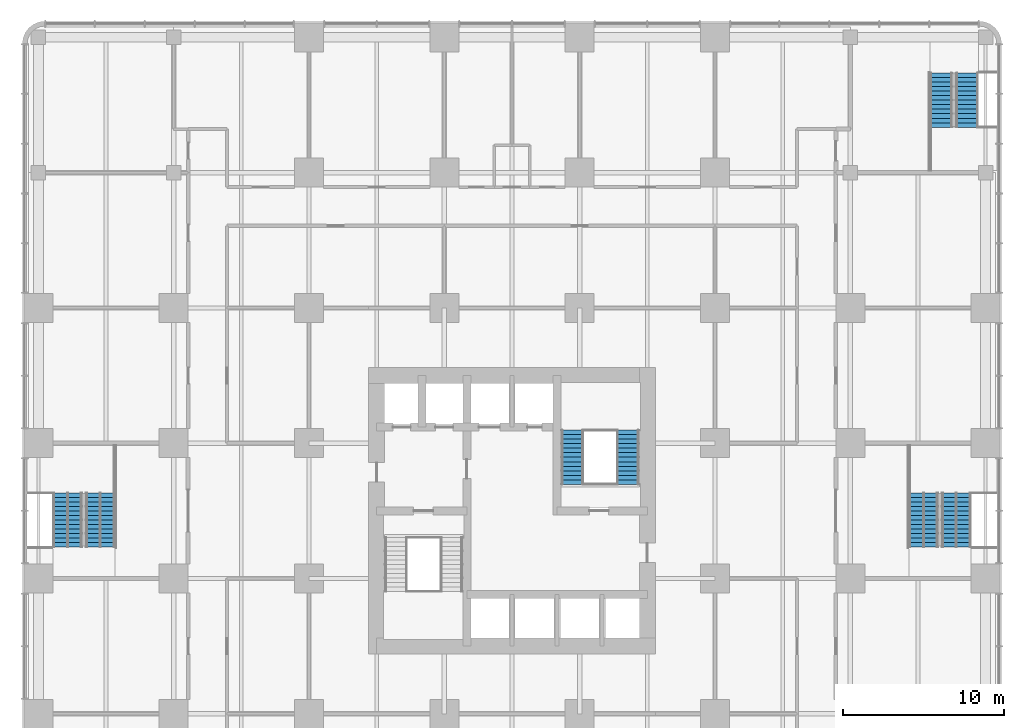
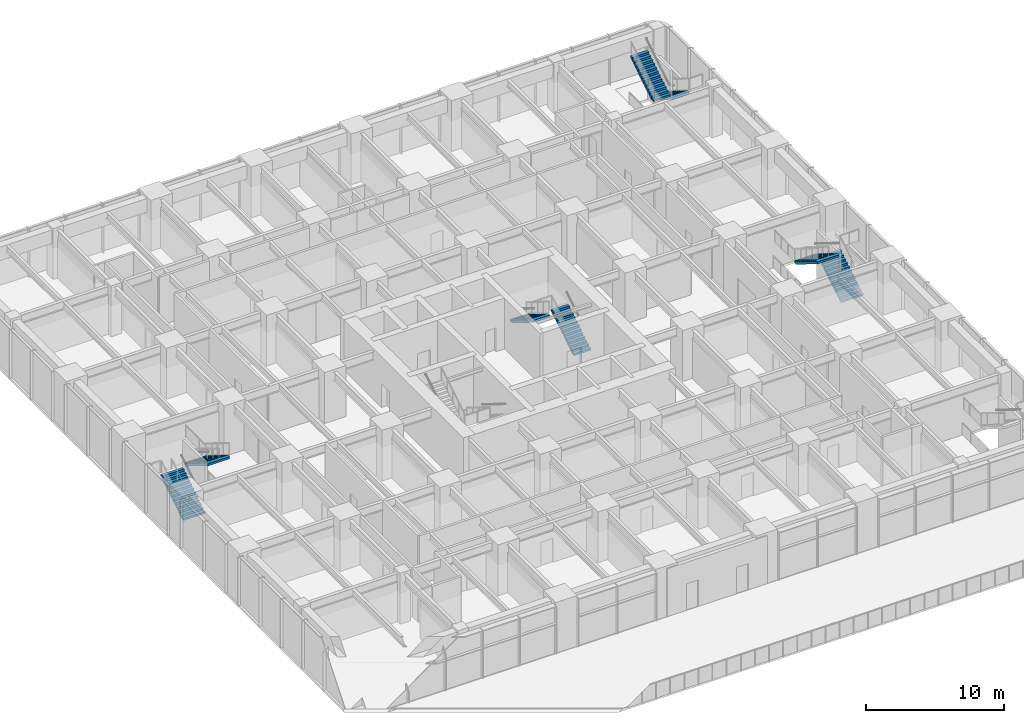
# One storey, part 14 of 19: 8 stair flights, 4 elements without a shape of their own.
"""IFC4 building model written with IfcOpenShell, lengths in metres."""

from ifc_helpers import new_model, si_unit, direction, frame, origin, place, context, subcontext, project, spatial, polyline, outline, extrude, material, type_object, element, aggregate, save


model = new_model("IFC4")

# Units and contexts
model_context = context("Model", 3, precision=1e-05, world=origin(), true_north=direction((0.0, 1.0)))
body_context = subcontext(model_context, "Body", "Model", "MODEL_VIEW")
ifc_project = project(units=[si_unit("LENGTHUNIT", "METRE"), si_unit("AREAUNIT", "SQUARE_METRE"), si_unit("VOLUMEUNIT", "CUBIC_METRE"), si_unit("PLANEANGLEUNIT", "RADIAN"), si_unit("MASSUNIT", "GRAM", prefix="KILO")], contexts=[model_context])

# Site, building, storey
site_placement = place(None, origin())
site = spatial("IfcSite", under=ifc_project, at=site_placement, CompositionType="ELEMENT")
building_placement = place(site_placement, origin())
building = spatial("IfcBuilding", under=site, at=building_placement, Name="Torre Alcanfor", CompositionType="ELEMENT")
storey_placement = place(building_placement, frame((0.0, 0.0, 15.0)))
storey = spatial("IfcBuildingStorey", under=building, at=storey_placement, Name="L03", CompositionType="ELEMENT", Elevation=15.0)

# Stair, stair flights
ifc_material_1 = material(Name="Concrete f'c 35 MPa", Category="concrete")
stair_type_1 = type_object("IfcStairType", Name="Exit stair S2 1400 wide", PredefinedType="HALF_TURN_STAIR", material=ifc_material_1)
stair_1_placement = place(storey_placement, origin())
stair_1 = element("IfcStair", 1, at=stair_1_placement, inside=storey, type_object=stair_type_1, Name="Stair S2 L03 to L04", PredefinedType="HALF_TURN_STAIR")
ifc_material_2 = material(Name="Concrete f'c 35 MPa", Category="concrete")
stair_flight_type_1 = type_object("IfcStairFlightType", Name="Stair flight 1400", PredefinedType="STRAIGHT", material=ifc_material_2)
stair_flight_1_placement = place(storey_placement, frame((36.60009765625, 31.050048828125, 0.0), z_axis=(0.0, 0.0, 1.0), x_axis=(0.0, 1.0, 0.0)))
stair_flight_1 = element("IfcStairFlight", 2, at=stair_flight_1_placement, type_object=stair_flight_type_1, Name="S2 flight 1", NumberOfRisers=13, NumberOfTreads=12, PredefinedType="STRAIGHT", RiserHeight=0.173076923, TreadLength=0.28, context=body_context, shape_type="SweptSolid", body=[
    extrude(outline(polyline([(0.0, 0.0), (0.0, 0.173095703125), (0.280029296875, 0.173095703125), (0.280029296875, 0.34619140625), (0.56005859375, 0.34619140625), (0.56005859375, 0.519287109375), (0.840087890625, 0.519287109375), (0.840087890625, 0.6923828125), (1.1201171875, 0.6923828125), (1.1201171875, 0.865478515625), (1.39990234375, 0.865478515625), (1.39990234375, 1.03857421875), (1.679931640625, 1.03857421875), (1.679931640625, 1.21142578125), (1.9599609375, 1.21142578125), (1.9599609375, 1.384521484375), (2.239990234375, 1.384521484375), (2.239990234375, 1.5576171875), (2.52001953125, 1.5576171875), (2.52001953125, 1.730712890625), (2.800048828125, 1.730712890625), (2.800048828125, 1.90380859375), (3.080078125, 1.90380859375), (3.080078125, 2.076904296875), (3.360107421875, 2.076904296875), (3.360107421875, 2.25), (3.360107421875, 1.900634765625), (0.28515625, 0.0), (0.0, 0.0)])), frame((0.0, 0.699951171875, 0.0), z_axis=(0.0, -1.0, 0.0), x_axis=(1.0, 0.0, 0.0)), (0.0, 0.0, 1.0), 1.39990234375),
])
stair_flight_2_placement = place(storey_placement, frame((33.14990234375, 34.409912109375, 2.25), z_axis=(0.0, 0.0, 1.0), x_axis=(0.0, -1.0, 0.0)))
stair_flight_2 = element("IfcStairFlight", 3, at=stair_flight_2_placement, type_object=stair_flight_type_1, Name="S2 flight 2", NumberOfRisers=13, NumberOfTreads=12, PredefinedType="STRAIGHT", RiserHeight=0.173076923, TreadLength=0.28, context=body_context, shape_type="SweptSolid", body=[
    extrude(outline(polyline([(0.0, 0.0), (0.0, 0.173095703125), (0.280029296875, 0.173095703125), (0.280029296875, 0.34619140625), (0.56005859375, 0.34619140625), (0.56005859375, 0.519287109375), (0.840087890625, 0.519287109375), (0.840087890625, 0.6923828125), (1.1201171875, 0.6923828125), (1.1201171875, 0.865478515625), (1.39990234375, 0.865478515625), (1.39990234375, 1.03857421875), (1.679931640625, 1.03857421875), (1.679931640625, 1.21142578125), (1.9599609375, 1.21142578125), (1.9599609375, 1.384521484375), (2.239990234375, 1.384521484375), (2.239990234375, 1.5576171875), (2.52001953125, 1.5576171875), (2.52001953125, 1.730712890625), (2.800048828125, 1.730712890625), (2.800048828125, 1.90380859375), (3.080078125, 1.90380859375), (3.080078125, 2.076904296875), (3.360107421875, 2.076904296875), (3.360107421875, 2.25), (3.360107421875, 1.900634765625), (0.28515625, 0.0), (0.0, 0.0)])), frame((0.0, 0.699951171875, 0.0), z_axis=(0.0, -1.0, 0.0), x_axis=(1.0, 0.0, 0.0)), (0.0, 0.0, 1.0), 1.39990234375),
])
aggregate(stair_1, [stair_flight_1, stair_flight_2])

ifc_material_3 = material(Name="Concrete f'c 35 MPa", Category="concrete")
stair_type_2 = type_object("IfcStairType", Name="Exit stair SS4 1400 wide", PredefinedType="HALF_TURN_STAIR", material=ifc_material_3)
stair_2_placement = place(storey_placement, origin())
stair_2 = element("IfcStair", 4, at=stair_2_placement, inside=storey, type_object=stair_type_2, Name="Stair SS4 L03 to L04", PredefinedType="HALF_TURN_STAIR")
stair_flight_3_placement = place(storey_placement, frame((57.64990234375, 56.574951171875, 0.0), z_axis=(0.0, 0.0, 1.0), x_axis=(0.0, -1.0, 0.0)))
stair_flight_3 = element("IfcStairFlight", 5, at=stair_flight_3_placement, type_object=stair_flight_type_1, Name="SS4 flight 1", NumberOfRisers=13, NumberOfTreads=12, PredefinedType="STRAIGHT", RiserHeight=0.173076923, TreadLength=0.28, context=body_context, shape_type="SweptSolid", body=[
    extrude(outline(polyline([(0.0, 0.0), (0.0, 0.173095703125), (0.280029296875, 0.173095703125), (0.280029296875, 0.34619140625), (0.56005859375, 0.34619140625), (0.56005859375, 0.519287109375), (0.840087890625, 0.519287109375), (0.840087890625, 0.6923828125), (1.1201171875, 0.6923828125), (1.1201171875, 0.865478515625), (1.39990234375, 0.865478515625), (1.39990234375, 1.03857421875), (1.679931640625, 1.03857421875), (1.679931640625, 1.21142578125), (1.9599609375, 1.21142578125), (1.9599609375, 1.384521484375), (2.239990234375, 1.384521484375), (2.239990234375, 1.5576171875), (2.52001953125, 1.5576171875), (2.52001953125, 1.730712890625), (2.800048828125, 1.730712890625), (2.800048828125, 1.90380859375), (3.080078125, 1.90380859375), (3.080078125, 2.076904296875), (3.360107421875, 2.076904296875), (3.360107421875, 2.25), (3.360107421875, 1.900634765625), (0.28515625, 0.0), (0.0, 0.0)])), frame((0.0, 0.699951171875, 0.0), z_axis=(0.0, -1.0, 0.0), x_axis=(1.0, 0.0, 0.0)), (0.0, 0.0, 1.0), 1.39990234375),
])
stair_flight_4_placement = place(storey_placement, frame((56.050048828125, 53.215087890625, 2.25), z_axis=(0.0, 0.0, 1.0), x_axis=(0.0, 1.0, 0.0)))
stair_flight_4 = element("IfcStairFlight", 6, at=stair_flight_4_placement, type_object=stair_flight_type_1, Name="SS4 flight 2", NumberOfRisers=13, NumberOfTreads=12, PredefinedType="STRAIGHT", RiserHeight=0.173076923, TreadLength=0.28, context=body_context, shape_type="SweptSolid", body=[
    extrude(outline(polyline([(0.0, 0.0), (0.0, 0.173095703125), (0.280029296875, 0.173095703125), (0.280029296875, 0.34619140625), (0.56005859375, 0.34619140625), (0.56005859375, 0.519287109375), (0.840087890625, 0.519287109375), (0.840087890625, 0.6923828125), (1.1201171875, 0.6923828125), (1.1201171875, 0.865478515625), (1.39990234375, 0.865478515625), (1.39990234375, 1.03857421875), (1.679931640625, 1.03857421875), (1.679931640625, 1.21142578125), (1.9599609375, 1.21142578125), (1.9599609375, 1.384521484375), (2.239990234375, 1.384521484375), (2.239990234375, 1.5576171875), (2.52001953125, 1.5576171875), (2.52001953125, 1.730712890625), (2.800048828125, 1.730712890625), (2.800048828125, 1.90380859375), (3.080078125, 1.90380859375), (3.080078125, 2.076904296875), (3.360107421875, 2.076904296875), (3.360107421875, 2.25), (3.360107421875, 1.900634765625), (0.28515625, 0.0), (0.0, 0.0)])), frame((0.0, 0.699951171875, 0.0), z_axis=(0.0, -1.0, 0.0), x_axis=(1.0, 0.0, 0.0)), (0.0, 0.0, 1.0), 1.39990234375),
])
aggregate(stair_2, [stair_flight_3, stair_flight_4])

ifc_material_4 = material(Name="Concrete f'c 35 MPa", Category="concrete")
stair_type_3 = type_object("IfcStairType", Name="Exit stair SS1 1830 wide", PredefinedType="HALF_TURN_STAIR", material=ifc_material_4)
stair_3_placement = place(storey_placement, origin())
stair_3 = element("IfcStair", 7, at=stair_3_placement, inside=storey, type_object=stair_type_3, Name="Stair SS1 L03 to L04", PredefinedType="HALF_TURN_STAIR")
ifc_material_5 = material(Name="Concrete f'c 35 MPa", Category="concrete")
stair_flight_type_2 = type_object("IfcStairFlightType", Name="Stair flight 1830", PredefinedType="STRAIGHT", material=ifc_material_5)
stair_flight_5_placement = place(storey_placement, frame((1.81494140625, 27.155029296875, 0.0), z_axis=(0.0, 0.0, 1.0), x_axis=(0.0, 1.0, 0.0)))
stair_flight_5 = element("IfcStairFlight", 8, at=stair_flight_5_placement, type_object=stair_flight_type_2, Name="SS1 flight 1", NumberOfRisers=13, NumberOfTreads=12, PredefinedType="STRAIGHT", RiserHeight=0.173076923, TreadLength=0.28, context=body_context, shape_type="SweptSolid", body=[
    extrude(outline(polyline([(0.0, 0.0), (0.0, 0.173095703125), (0.280029296875, 0.173095703125), (0.280029296875, 0.34619140625), (0.56005859375, 0.34619140625), (0.56005859375, 0.519287109375), (0.840087890625, 0.519287109375), (0.840087890625, 0.6923828125), (1.1201171875, 0.6923828125), (1.1201171875, 0.865478515625), (1.39990234375, 0.865478515625), (1.39990234375, 1.03857421875), (1.679931640625, 1.03857421875), (1.679931640625, 1.21142578125), (1.9599609375, 1.21142578125), (1.9599609375, 1.384521484375), (2.239990234375, 1.384521484375), (2.239990234375, 1.5576171875), (2.52001953125, 1.5576171875), (2.52001953125, 1.730712890625), (2.800048828125, 1.730712890625), (2.800048828125, 1.90380859375), (3.080078125, 1.90380859375), (3.080078125, 2.076904296875), (3.360107421875, 2.076904296875), (3.360107421875, 2.25), (3.360107421875, 1.900634765625), (0.28515625, 0.0), (0.0, 0.0)])), frame((0.0, 0.9150390625, 0.0), z_axis=(0.0, -1.0, 0.0), x_axis=(1.0, 0.0, 0.0)), (0.0, 0.0, 1.0), 1.830078125),
])
stair_flight_6_placement = place(storey_placement, frame((3.844970703125, 30.514892578125, 2.25), z_axis=(0.0, 0.0, 1.0), x_axis=(0.0, -1.0, 0.0)))
stair_flight_6 = element("IfcStairFlight", 9, at=stair_flight_6_placement, type_object=stair_flight_type_2, Name="SS1 flight 2", NumberOfRisers=13, NumberOfTreads=12, PredefinedType="STRAIGHT", RiserHeight=0.173076923, TreadLength=0.28, context=body_context, shape_type="SweptSolid", body=[
    extrude(outline(polyline([(0.0, 0.0), (0.0, 0.173095703125), (0.280029296875, 0.173095703125), (0.280029296875, 0.34619140625), (0.56005859375, 0.34619140625), (0.56005859375, 0.519287109375), (0.840087890625, 0.519287109375), (0.840087890625, 0.6923828125), (1.1201171875, 0.6923828125), (1.1201171875, 0.865478515625), (1.39990234375, 0.865478515625), (1.39990234375, 1.03857421875), (1.679931640625, 1.03857421875), (1.679931640625, 1.21142578125), (1.9599609375, 1.21142578125), (1.9599609375, 1.384521484375), (2.239990234375, 1.384521484375), (2.239990234375, 1.5576171875), (2.52001953125, 1.5576171875), (2.52001953125, 1.730712890625), (2.800048828125, 1.730712890625), (2.800048828125, 1.90380859375), (3.080078125, 1.90380859375), (3.080078125, 2.076904296875), (3.360107421875, 2.076904296875), (3.360107421875, 2.25), (3.360107421875, 1.900634765625), (0.28515625, 0.0), (0.0, 0.0)])), frame((0.0, 0.9150390625, 0.0), z_axis=(0.0, -1.0, 0.0), x_axis=(1.0, 0.0, 0.0)), (0.0, 0.0, 1.0), 1.830078125),
])
aggregate(stair_3, [stair_flight_5, stair_flight_6])

ifc_material_6 = material(Name="Concrete f'c 35 MPa", Category="concrete")
stair_type_4 = type_object("IfcStairType", Name="Exit stair SS2 1830 wide", PredefinedType="HALF_TURN_STAIR", material=ifc_material_6)
stair_4_placement = place(storey_placement, origin())
stair_4 = element("IfcStair", 10, at=stair_4_placement, inside=storey, type_object=stair_type_4, Name="Stair SS2 L03 to L04", PredefinedType="HALF_TURN_STAIR")
stair_flight_7_placement = place(storey_placement, frame((56.985107421875, 27.155029296875, 0.0), z_axis=(0.0, 0.0, 1.0), x_axis=(0.0, 1.0, 0.0)))
stair_flight_7 = element("IfcStairFlight", 11, at=stair_flight_7_placement, type_object=stair_flight_type_2, Name="SS2 flight 1", NumberOfRisers=13, NumberOfTreads=12, PredefinedType="STRAIGHT", RiserHeight=0.173076923, TreadLength=0.28, context=body_context, shape_type="SweptSolid", body=[
    extrude(outline(polyline([(0.0, 0.0), (0.0, 0.173095703125), (0.280029296875, 0.173095703125), (0.280029296875, 0.34619140625), (0.56005859375, 0.34619140625), (0.56005859375, 0.519287109375), (0.840087890625, 0.519287109375), (0.840087890625, 0.6923828125), (1.1201171875, 0.6923828125), (1.1201171875, 0.865478515625), (1.39990234375, 0.865478515625), (1.39990234375, 1.03857421875), (1.679931640625, 1.03857421875), (1.679931640625, 1.21142578125), (1.9599609375, 1.21142578125), (1.9599609375, 1.384521484375), (2.239990234375, 1.384521484375), (2.239990234375, 1.5576171875), (2.52001953125, 1.5576171875), (2.52001953125, 1.730712890625), (2.800048828125, 1.730712890625), (2.800048828125, 1.90380859375), (3.080078125, 1.90380859375), (3.080078125, 2.076904296875), (3.360107421875, 2.076904296875), (3.360107421875, 2.25), (3.360107421875, 1.900634765625), (0.28515625, 0.0), (0.0, 0.0)])), frame((0.0, 0.9150390625, 0.0), z_axis=(0.0, -1.0, 0.0), x_axis=(1.0, 0.0, 0.0)), (0.0, 0.0, 1.0), 1.830078125),
])
stair_flight_8_placement = place(storey_placement, frame((54.955078125, 30.514892578125, 2.25), z_axis=(0.0, 0.0, 1.0), x_axis=(0.0, -1.0, 0.0)))
stair_flight_8 = element("IfcStairFlight", 12, at=stair_flight_8_placement, type_object=stair_flight_type_2, Name="SS2 flight 2", NumberOfRisers=13, NumberOfTreads=12, PredefinedType="STRAIGHT", RiserHeight=0.173076923, TreadLength=0.28, context=body_context, shape_type="SweptSolid", body=[
    extrude(outline(polyline([(0.0, 0.0), (0.0, 0.173095703125), (0.280029296875, 0.173095703125), (0.280029296875, 0.34619140625), (0.56005859375, 0.34619140625), (0.56005859375, 0.519287109375), (0.840087890625, 0.519287109375), (0.840087890625, 0.6923828125), (1.1201171875, 0.6923828125), (1.1201171875, 0.865478515625), (1.39990234375, 0.865478515625), (1.39990234375, 1.03857421875), (1.679931640625, 1.03857421875), (1.679931640625, 1.21142578125), (1.9599609375, 1.21142578125), (1.9599609375, 1.384521484375), (2.239990234375, 1.384521484375), (2.239990234375, 1.5576171875), (2.52001953125, 1.5576171875), (2.52001953125, 1.730712890625), (2.800048828125, 1.730712890625), (2.800048828125, 1.90380859375), (3.080078125, 1.90380859375), (3.080078125, 2.076904296875), (3.360107421875, 2.076904296875), (3.360107421875, 2.25), (3.360107421875, 1.900634765625), (0.28515625, 0.0), (0.0, 0.0)])), frame((0.0, 0.9150390625, 0.0), z_axis=(0.0, -1.0, 0.0), x_axis=(1.0, 0.0, 0.0)), (0.0, 0.0, 1.0), 1.830078125),
])
aggregate(stair_4, [stair_flight_7, stair_flight_8])

save(model, "model.ifc")
